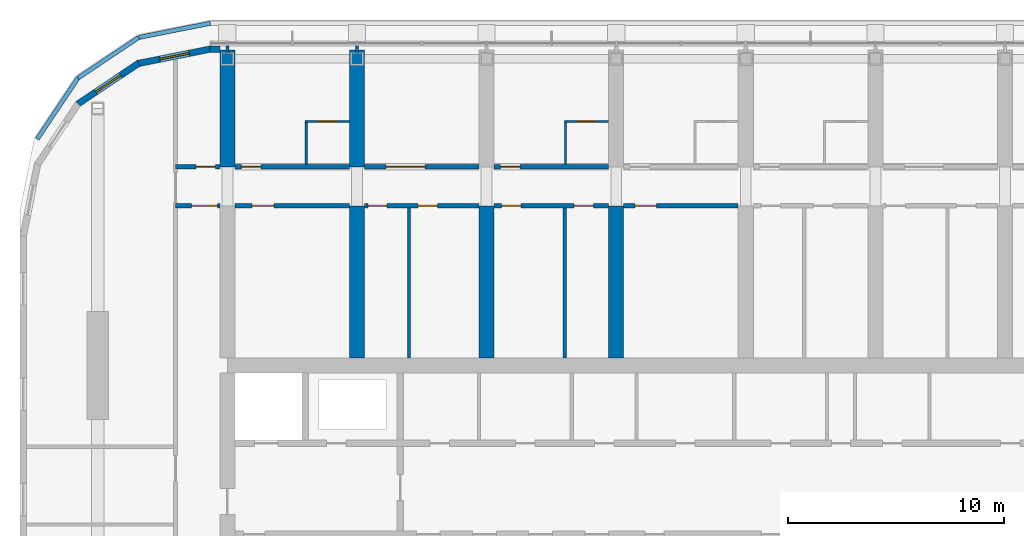
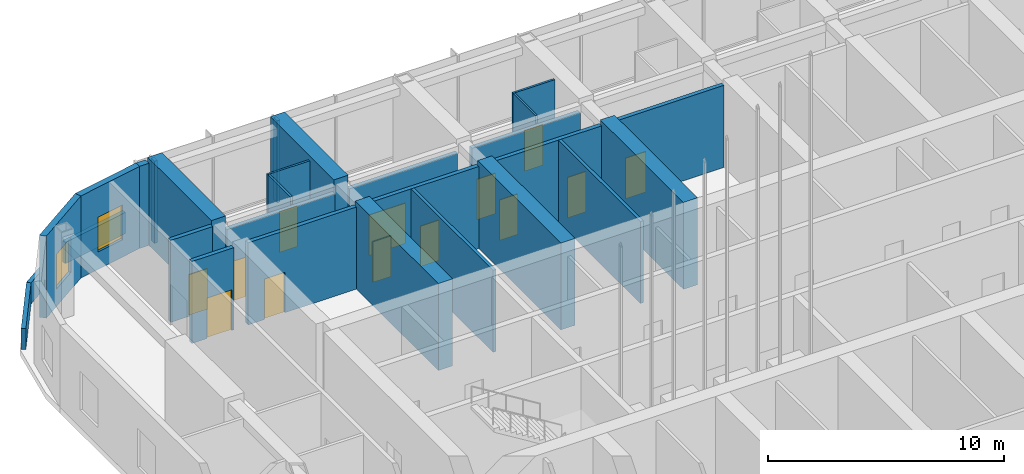
# One storey, part 19 of 35: 28 walls, 13 doors, 2 windows, 15 openings.
"""IFC4 building model written with IfcOpenShell, lengths in metres."""

import ifcopenshell
import ifcopenshell.guid

model = None  # the IFC model being written
_history = None  # IfcOwnerHistory: only IFC2X3 demands one
_inside = {}  # id of a spatial element -> (the spatial element, [elements in it])
_under = {}  # id of a project, library or spatial element -> (it, [spatial elements below it])
_declared = {}  # id of a project -> (the project, [libraries it declares])
_typed = {}  # id of a type object -> (the type object, [elements of that type])
_made_of = {}  # id of a material, layer set ... -> (it, [elements and type objects made of it])


def new_model(schema):
    """Start an empty IFC model of exactly this schema.

    Asked for "IFC4X3", IfcOpenShell would pick the latest addendum, in which some entities
    have other attributes; the version numbers below select the first issue.
    IFC2X3 requires an IfcOwnerHistory on every rooted entity: one is made here for all.
    """
    global model, _history
    if schema == "IFC4X3":
        model = ifcopenshell.file(schema_version=(4, 3, 0, 0))
    else:
        model = ifcopenshell.file(schema=schema)
    _inside.clear()
    _under.clear()
    _declared.clear()
    _typed.clear()
    _made_of.clear()
    _history = None
    if model.schema == "IFC2X3":
        org = make("IfcOrganization", Name="unknown")
        user = make(
            "IfcPersonAndOrganization",
            ThePerson=make("IfcPerson", FamilyName="unknown"),
            TheOrganization=org,
        )
        app = make(
            "IfcApplication",
            ApplicationDeveloper=org,
            Version="unknown",
            ApplicationFullName="unknown",
            ApplicationIdentifier="unknown",
        )
        _history = make(
            "IfcOwnerHistory",
            OwningUser=user,
            OwningApplication=app,
            ChangeAction="ADDED",
            CreationDate=0,
        )
    return model


def make(cls, **values):
    """One entity of the class cls with the attributes given. An attribute that is None is left unset."""
    return model.create_entity(
        cls, **{name: value for name, value in values.items() if value is not None}
    )


def rooted(cls, **values):
    """An entity with a GlobalId (a new one), such as an element, a storey or a relation."""
    return make(cls, GlobalId=ifcopenshell.guid.new(), OwnerHistory=_history, **values)


def si_unit(unit_type, name, prefix=None):
    """IfcSIUnit, for example si_unit("LENGTHUNIT", "METRE", prefix="MILLI")."""
    return make("IfcSIUnit", UnitType=unit_type, Prefix=prefix, Name=name)


def assignment(units):
    """IfcUnitAssignment: the units of a project."""
    return None if units is None else make("IfcUnitAssignment", Units=units)


def point(xyz):
    """IfcCartesianPoint."""
    return None if xyz is None else make("IfcCartesianPoint", Coordinates=xyz)


def direction(xyz):
    """IfcDirection."""
    return None if xyz is None else make("IfcDirection", DirectionRatios=xyz)


def frame(location, z_axis=None, x_axis=None):
    """IfcAxis2Placement3D, a coordinate frame: its origin and axes. An axis left out is left unset."""
    return make(
        "IfcAxis2Placement3D",
        Location=point(location),
        Axis=direction(z_axis),
        RefDirection=direction(x_axis),
    )


def frame_2d(location, x_axis=None):
    """IfcAxis2Placement2D, a coordinate frame in the plane: its origin and x axis."""
    return make(
        "IfcAxis2Placement2D", Location=point(location), RefDirection=direction(x_axis)
    )


def origin():
    """The frame at (0, 0, 0) with its axes left unset."""
    return frame((0.0, 0.0, 0.0))


def place(relative_to, where):
    """IfcLocalPlacement: puts the frame where relative to a parent placement (None: the world)."""
    return make(
        "IfcLocalPlacement", PlacementRelTo=relative_to, RelativePlacement=where
    )


def context(
    kind, dimensions, precision=None, world=None, true_north=None, identifier=None
):
    """IfcGeometricRepresentationContext, for example the 3D "Model" context."""
    return make(
        "IfcGeometricRepresentationContext",
        ContextIdentifier=identifier,
        ContextType=kind,
        CoordinateSpaceDimension=dimensions,
        Precision=precision,
        WorldCoordinateSystem=world,
        TrueNorth=true_north,
    )


def subcontext(parent, identifier, kind, view, scale=None):
    """IfcGeometricRepresentationSubContext, for example "Body" below "Model"."""
    return make(
        "IfcGeometricRepresentationSubContext",
        ContextIdentifier=identifier,
        ContextType=kind,
        ParentContext=parent,
        TargetScale=scale,
        TargetView=view,
    )


def project(units=None, contexts=None):
    """IfcProject with its units and contexts."""
    return rooted(
        "IfcProject",
        Name="project",
        RepresentationContexts=contexts,
        UnitsInContext=assignment(units),
    )


def spatial(cls, under=None, at=None, **own):
    """A site, building, storey or space (cls), placed at a placement, below another one or the project."""
    s = rooted(cls, ObjectPlacement=at, **own)
    if under is not None:
        _under.setdefault(under.id(), (under, []))[1].append(s)
    return s


def polyline(points):
    """IfcPolyline through the points."""
    return make("IfcPolyline", Points=[point(p) for p in points])


def profile(cls, at=None, kind="AREA", **sizes):
    """A parametric profile (cls). Its sizes go by their IFC names, for example OverallWidth=200.0."""
    return make(cls, ProfileType=kind, Position=at, **sizes)


def rectangle(**sizes):
    """IfcRectangleProfileDef."""
    return profile("IfcRectangleProfileDef", **sizes)


def outline(outer, holes=None, kind="AREA"):
    """IfcArbitraryClosedProfileDef: a profile drawn as a closed curve; with holes, ...WithVoids."""
    if holes is None:
        return make("IfcArbitraryClosedProfileDef", ProfileType=kind, OuterCurve=outer)
    return make(
        "IfcArbitraryProfileDefWithVoids",
        ProfileType=kind,
        OuterCurve=outer,
        InnerCurves=holes,
    )


def extrude(swept, where, along, depth):
    """IfcExtrudedAreaSolid: the profile swept, set in the frame where, extruded along a direction by depth."""
    return make(
        "IfcExtrudedAreaSolid",
        SweptArea=swept,
        Position=where,
        ExtrudedDirection=direction(along),
        Depth=depth,
    )


def shape(context_of_items, identifier, shape_type, items):
    """IfcShapeRepresentation: the items that make up one representation, for example the "Body"."""
    return make(
        "IfcShapeRepresentation",
        ContextOfItems=context_of_items,
        RepresentationIdentifier=identifier,
        RepresentationType=shape_type,
        Items=items,
    )


def material(Name=None, Category=None):
    """IfcMaterial."""
    return make("IfcMaterial", Name=Name, Category=Category)


def layer(
    of_material, thickness, ventilated=None, Name=None, Category=None, Priority=None
):
    """IfcMaterialLayer: one layer of a wall or slab, of a material (None: an air gap)."""
    return make(
        "IfcMaterialLayer",
        Material=of_material,
        LayerThickness=thickness,
        IsVentilated=ventilated,
        Name=Name,
        Category=Category,
        Priority=Priority,
    )


def layer_set(layers, Name=None):
    """IfcMaterialLayerSet."""
    return make("IfcMaterialLayerSet", MaterialLayers=layers, LayerSetName=Name)


def made_of(thing, what):
    """Note that an element or type object is made of a material, layer set ...; save() writes the relation."""
    if what is not None:
        _made_of.setdefault(what.id(), (what, []))[1].append(thing)
    return thing


def type_object(cls, material=None, **own):
    """A type object (cls), such as IfcWallType, which elements share."""
    return made_of(rooted(cls, **own), material)


def element(
    cls,
    number,
    at=None,
    inside=None,
    cuts=None,
    type_object=None,
    material=None,
    context=None,
    identifier="Body",
    shape_type=None,
    held_by="IfcProductDefinitionShape",
    body=None,
    shapes=None,
    **own,
):
    """One element of the class cls, such as IfcWall. Its Tag is "e" and its number.

    at: its placement. inside: the storey or other place that contains it. cuts: it is an
    opening in that element (IfcRelVoidsElement). A single representation is given by context,
    identifier, shape_type and body (its items); several are given by shapes. held_by: the class
    of the entity that holds the representations. save() writes the other relations.
    """
    e = rooted(cls, Tag="e%d" % number, ObjectPlacement=at, **own)
    if body is not None:
        shapes = [shape(context, identifier, shape_type, body)]
    if shapes is not None:
        e.Representation = make(held_by, Representations=shapes)
    if inside is not None:
        _inside.setdefault(inside.id(), (inside, []))[1].append(e)
    if cuts is not None:
        rooted(
            "IfcRelVoidsElement", RelatingBuildingElement=cuts, RelatedOpeningElement=e
        )
    if type_object is not None:
        _typed.setdefault(type_object.id(), (type_object, []))[1].append(e)
    return made_of(e, material)


def fill(opening, filler):
    """IfcRelFillsElement: the door or window that sits in an opening."""
    return rooted(
        "IfcRelFillsElement",
        RelatingOpeningElement=opening,
        RelatedBuildingElement=filler,
    )


def aggregate(whole, parts):
    """IfcRelAggregates: a whole, such as a stair, and the parts it consists of."""
    return rooted("IfcRelAggregates", RelatingObject=whole, RelatedObjects=parts)


def save(model, path):
    """Write the relations noted so far, then the file.

    IfcRelAggregates (storeys below a building ...), IfcRelContainedInSpatialStructure (elements
    in a storey), IfcRelDefinesByType, IfcRelAssociatesMaterial and IfcRelDeclares: one each for
    every whole, place, type object, material and project.
    """
    for whole, parts in _under.values():
        aggregate(whole, parts)
    for where, things in _inside.values():
        rooted(
            "IfcRelContainedInSpatialStructure",
            RelatedElements=things,
            RelatingStructure=where,
        )
    for kind, things in _typed.values():
        rooted("IfcRelDefinesByType", RelatedObjects=things, RelatingType=kind)
    for what, things in _made_of.values():
        rooted("IfcRelAssociatesMaterial", RelatedObjects=things, RelatingMaterial=what)
    for by, libraries in _declared.values():
        rooted("IfcRelDeclares", RelatingContext=by, RelatedDefinitions=libraries)
    model.write(path)


model = new_model("IFC4")

# Units and contexts
model_context = context("Model", 3, precision=1e-05, world=origin(), true_north=direction((0.0, 1.0)))
body_context = subcontext(model_context, "Body", "Model", "MODEL_VIEW")
ifc_project = project(units=[si_unit("LENGTHUNIT", "METRE"), si_unit("AREAUNIT", "SQUARE_METRE"), si_unit("VOLUMEUNIT", "CUBIC_METRE"), si_unit("PLANEANGLEUNIT", "RADIAN"), si_unit("MASSUNIT", "GRAM", prefix="KILO")], contexts=[model_context])

# Site, building, storey
site_placement = place(None, origin())
site = spatial("IfcSite", under=ifc_project, at=site_placement, CompositionType="ELEMENT")
building_placement = place(site_placement, origin())
building = spatial("IfcBuilding", under=site, at=building_placement, Name="Orbita Commons", CompositionType="ELEMENT")
storey_placement = place(building_placement, frame((0.0, 0.0, 208.300048828125)))
storey = spatial("IfcBuildingStorey", under=building, at=storey_placement, Name="L51", CompositionType="ELEMENT", Elevation=208.300048828125)

# Wall, opening, door
ifc_material_1 = material(Name="Concrete blockwork", Category="masonry")
ifc_layer_1 = layer(ifc_material_1, 0.199951171875)
ifc_layer_set_1 = layer_set([ifc_layer_1], Name="Concrete blockwork")
wall_type_1 = type_object("IfcWallType", Name="Corridor wall 200 blockwork", PredefinedType="SOLIDWALL", material=ifc_layer_set_1)
wall_1_placement = place(storey_placement, frame((15.60009765625, 47.39990234375, 0.0), z_axis=(0.0, 0.0, 1.0), x_axis=(1.0, 0.0, 0.0)))
wall_1 = element("IfcWall", 1, at=wall_1_placement, inside=storey, type_object=wall_type_1, Name="Corridor wall 200 blockwork L51", PredefinedType="SOLIDWALL", context=body_context, shape_type="SweptSolid", body=[
    extrude(rectangle(XDim=2.0498046875, YDim=0.199951171875, at=frame_2d((1.02490234375, 0.0))), origin(), (0.0, 0.0, 1.0), 4.25),
])
opening_1_placement = place(wall_1_placement, frame((0.949951171875, 0.0, 0.0)))
opening_1 = element("IfcOpeningElement", 2, at=opening_1_placement, cuts=wall_1, Name="Opening D05", PredefinedType="OPENING", context=body_context, shape_type="SweptSolid", body=[
    extrude(rectangle(XDim=0.89990234375, YDim=2.10009765625, at=frame_2d((0.449951171875, 1.050048828125))), frame((0.0, 0.10986328125, 0.0), z_axis=(0.0, -1.0, 0.0), x_axis=(1.0, 0.0, 0.0)), (0.0, 0.0, 1.0), 0.219970703125),
])
ifc_material_2 = material(Name="Steel-faced fire door leaf", Category="steel")
door_type_1 = type_object("IfcDoorType", Name="Service door 20 min 900x2100", OperationType="SINGLE_SWING_LEFT", PredefinedType="DOOR", material=ifc_material_2)
door_1_placement = place(opening_1_placement, origin())
door_1 = element("IfcDoor", 3, at=door_1_placement, inside=storey, type_object=door_type_1, Name="Linen store L51-KWN door", OperationType="SINGLE_SWING_LEFT", OverallHeight=2.10009765625, OverallWidth=0.89990234375, PredefinedType="DOOR", context=body_context, shape_type="SweptSolid", body=[
    extrude(rectangle(XDim=0.89990234375, YDim=2.10009765625, at=frame_2d((0.449951171875, 1.050048828125))), frame((0.0, 0.02490234375, 0.0), z_axis=(0.0, -1.0, 0.0), x_axis=(1.0, 0.0, 0.0)), (0.0, 0.0, 1.0), 0.050048828125),
])
fill(opening_1, door_1)

wall_2_placement = place(storey_placement, frame((18.35009765625, 47.39990234375, 0.0), z_axis=(0.0, 0.0, 1.0), x_axis=(1.0, 0.0, 0.0)))
wall_2 = element("IfcWall", 4, at=wall_2_placement, inside=storey, type_object=wall_type_1, Name="Corridor wall 200 blockwork L51", PredefinedType="SOLIDWALL", context=body_context, shape_type="SweptSolid", body=[
    extrude(outline(polyline([(0.0, 0.0), (5.2998046875, 0.0), (5.300048828125, 3.849853515625), (0.0, 3.849853515625), (0.0, 0.0)])), frame((0.0, 0.10009765625, 0.0), z_axis=(0.0, -1.0, 0.0), x_axis=(1.0, 0.0, 0.0)), (0.0, 0.0, 1.0), 0.199951171875),
])
opening_2_placement = place(wall_2_placement, frame((0.300048828125, 0.0, 0.0)))
opening_2 = element("IfcOpeningElement", 5, at=opening_2_placement, cuts=wall_2, Name="Opening D11", PredefinedType="OPENING", context=body_context, shape_type="SweptSolid", body=[
    extrude(rectangle(XDim=0.89990234375, YDim=2.10009765625, at=frame_2d((0.449951171875, 1.050048828125))), frame((0.0, 0.10986328125, 0.0), z_axis=(0.0, -1.0, 0.0), x_axis=(1.0, 0.0, 0.0)), (0.0, 0.0, 1.0), 0.219970703125),
])
ifc_material_3 = material(Name="Steel-faced fire door leaf", Category="steel")
door_type_2 = type_object("IfcDoorType", Name="Corridor door 20 min 900x2100", OperationType="SINGLE_SWING_LEFT", PredefinedType="DOOR", material=ifc_material_3)
door_2_placement = place(opening_2_placement, origin())
door_2 = element("IfcDoor", 6, at=door_2_placement, inside=storey, type_object=door_type_2, Name="Guest studio with kitchenette L51-NF1 door", OperationType="SINGLE_SWING_LEFT", OverallHeight=2.10009765625, OverallWidth=0.89990234375, PredefinedType="DOOR", context=body_context, shape_type="SweptSolid", body=[
    extrude(rectangle(XDim=0.89990234375, YDim=2.10009765625, at=frame_2d((0.449951171875, 1.050048828125))), frame((0.0, 0.02490234375, 0.0), z_axis=(0.0, -1.0, 0.0), x_axis=(1.0, 0.0, 0.0)), (0.0, 0.0, 1.0), 0.050048828125),
])
fill(opening_2, door_2)

wall_3_placement = place(storey_placement, frame((24.35009765625, 47.39990234375, 0.0), z_axis=(0.0, 0.0, 1.0), x_axis=(1.0, 0.0, 0.0)))
wall_3 = element("IfcWall", 7, at=wall_3_placement, inside=storey, type_object=wall_type_1, Name="Corridor wall 200 blockwork L51", PredefinedType="SOLIDWALL", context=body_context, shape_type="SweptSolid", body=[
    extrude(outline(polyline([(0.0, 0.0), (5.2998046875, 0.0), (5.300048828125, 3.849853515625), (0.0, 3.849853515625), (0.0, 0.0)])), frame((0.0, 0.10009765625, 0.0), z_axis=(0.0, -1.0, 0.0), x_axis=(1.0, 0.0, 0.0)), (0.0, 0.0, 1.0), 0.199951171875),
])
opening_3_placement = place(wall_3_placement, frame((1.0, 0.0, 0.0)))
opening_3 = element("IfcOpeningElement", 8, at=opening_3_placement, cuts=wall_3, Name="Opening D07", PredefinedType="OPENING", context=body_context, shape_type="SweptSolid", body=[
    extrude(rectangle(XDim=1.800048828125, YDim=2.10009765625, at=frame_2d((0.89990234375, 1.050048828125))), frame((0.0, 0.10986328125, 0.0), z_axis=(0.0, -1.0, 0.0), x_axis=(1.0, 0.0, 0.0)), (0.0, 0.0, 1.0), 0.219970703125),
])
ifc_material_4 = material(Name="Steel-faced fire door leaf", Category="steel")
door_type_3 = type_object("IfcDoorType", Name="Double corridor door 20 min 1800x2100", OperationType="DOUBLE_DOOR_SINGLE_SWING", PredefinedType="DOOR", material=ifc_material_4)
door_3_placement = place(opening_3_placement, origin())
door_3 = element("IfcDoor", 9, at=door_3_placement, inside=storey, type_object=door_type_3, Name="Postgraduate study room L51-NF2 doors", OperationType="DOUBLE_DOOR_SINGLE_SWING", OverallHeight=2.10009765625, OverallWidth=1.800048828125, PredefinedType="DOOR", context=body_context, shape_type="SweptSolid", body=[
    extrude(rectangle(XDim=1.800048828125, YDim=2.10009765625, at=frame_2d((0.89990234375, 1.050048828125))), frame((0.0, 0.02490234375, 0.0), z_axis=(0.0, -1.0, 0.0), x_axis=(1.0, 0.0, 0.0)), (0.0, 0.0, 1.0), 0.050048828125),
])
fill(opening_3, door_3)

wall_4_placement = place(storey_placement, frame((30.35009765625, 47.39990234375, 0.0), z_axis=(0.0, 0.0, 1.0), x_axis=(1.0, 0.0, 0.0)))
wall_4 = element("IfcWall", 10, at=wall_4_placement, inside=storey, type_object=wall_type_1, Name="Corridor wall 200 blockwork L51", PredefinedType="SOLIDWALL", context=body_context, shape_type="SweptSolid", body=[
    extrude(outline(polyline([(0.0, 0.0), (5.2998046875, 0.0), (5.300048828125, 3.849853515625), (0.0, 3.849853515625), (0.0, 0.0)])), frame((0.0, 0.10009765625, 0.0), z_axis=(0.0, -1.0, 0.0), x_axis=(1.0, 0.0, 0.0)), (0.0, 0.0, 1.0), 0.199951171875),
])
opening_4_placement = place(wall_4_placement, frame((0.300048828125, 0.0, 0.0)))
opening_4 = element("IfcOpeningElement", 11, at=opening_4_placement, cuts=wall_4, Name="Opening D11", PredefinedType="OPENING", context=body_context, shape_type="SweptSolid", body=[
    extrude(rectangle(XDim=0.89990234375, YDim=2.10009765625, at=frame_2d((0.449951171875, 1.050048828125))), frame((0.0, 0.10986328125, 0.0), z_axis=(0.0, -1.0, 0.0), x_axis=(1.0, 0.0, 0.0)), (0.0, 0.0, 1.0), 0.219970703125),
])
door_4_placement = place(opening_4_placement, origin())
door_4 = element("IfcDoor", 12, at=door_4_placement, inside=storey, type_object=door_type_2, Name="Guest studio with kitchenette L51-NF3 door", OperationType="SINGLE_SWING_LEFT", OverallHeight=2.10009765625, OverallWidth=0.89990234375, PredefinedType="DOOR", context=body_context, shape_type="SweptSolid", body=[
    extrude(rectangle(XDim=0.89990234375, YDim=2.10009765625, at=frame_2d((0.449951171875, 1.050048828125))), frame((0.0, 0.02490234375, 0.0), z_axis=(0.0, -1.0, 0.0), x_axis=(1.0, 0.0, 0.0)), (0.0, 0.0, 1.0), 0.050048828125),
])
fill(opening_4, door_4)

ifc_material_5 = material(Name="Hollow concrete block 200", Category="concrete")
ifc_layer_2 = layer(ifc_material_5, 0.199951171875)
ifc_layer_set_2 = layer_set([ifc_layer_2], Name="Hollow concrete block 200")
wall_type_2 = type_object("IfcWallType", Name="Corridor wall 200 hollow concrete block", PredefinedType="SOLIDWALL", material=ifc_layer_set_2)
wall_5_placement = place(storey_placement, frame((15.60009765625, 45.60009765625, 0.0), z_axis=(0.0, 0.0, 1.0), x_axis=(1.0, 0.0, 0.0)))
wall_5 = element("IfcWall", 13, at=wall_5_placement, inside=storey, type_object=wall_type_2, Name="Corridor wall 200 hollow concrete block L51", PredefinedType="SOLIDWALL", context=body_context, shape_type="SweptSolid", body=[
    extrude(rectangle(XDim=2.0498046875, YDim=0.199951171875, at=frame_2d((1.02490234375, 0.0))), origin(), (0.0, 0.0, 1.0), 4.25),
])
opening_5_placement = place(wall_5_placement, frame((0.75, 0.0, 0.0)))
opening_5 = element("IfcOpeningElement", 14, at=opening_5_placement, cuts=wall_5, Name="Opening D12", PredefinedType="OPENING", context=body_context, shape_type="SweptSolid", body=[
    extrude(rectangle(XDim=1.199951171875, YDim=2.10009765625, at=frame_2d((0.60009765625, 1.050048828125))), frame((0.0, 0.10986328125, 0.0), z_axis=(0.0, -1.0, 0.0), x_axis=(1.0, 0.0, 0.0)), (0.0, 0.0, 1.0), 0.219970703125),
])
ifc_material_6 = material(Name="Steel-faced fire door leaf", Category="steel")
door_type_4 = type_object("IfcDoorType", Name="Double corridor door 20 min 1200x2100", OperationType="DOUBLE_DOOR_SINGLE_SWING", PredefinedType="DOOR", material=ifc_material_6)
door_5_placement = place(opening_5_placement, origin())
door_5 = element("IfcDoor", 15, at=door_5_placement, inside=storey, type_object=door_type_4, Name="Cross corridor doors", OperationType="DOUBLE_DOOR_SINGLE_SWING", OverallHeight=2.10009765625, OverallWidth=1.199951171875, PredefinedType="DOOR", context=body_context, shape_type="SweptSolid", body=[
    extrude(rectangle(XDim=1.199951171875, YDim=2.10009765625, at=frame_2d((0.60009765625, 1.050048828125))), frame((0.0, 0.02490234375, 0.0), z_axis=(0.0, -1.0, 0.0), x_axis=(1.0, 0.0, 0.0)), (0.0, 0.0, 1.0), 0.050048828125),
])
fill(opening_5, door_5)

wall_6_placement = place(storey_placement, frame((18.35009765625, 45.60009765625, 0.0), z_axis=(0.0, 0.0, 1.0), x_axis=(1.0, 0.0, 0.0)))
wall_6 = element("IfcWall", 16, at=wall_6_placement, inside=storey, type_object=wall_type_2, Name="Corridor wall 200 hollow concrete block L51", PredefinedType="SOLIDWALL", context=body_context, shape_type="SweptSolid", body=[
    extrude(rectangle(XDim=5.2998046875, YDim=0.199951171875, at=frame_2d((2.64990234375, 0.0))), origin(), (0.0, 0.0, 1.0), 4.25),
])
opening_6_placement = place(wall_6_placement, frame((0.800048828125, 0.0, 0.0)))
opening_6 = element("IfcOpeningElement", 17, at=opening_6_placement, cuts=wall_6, Name="Opening D06", PredefinedType="OPENING", context=body_context, shape_type="SweptSolid", body=[
    extrude(rectangle(XDim=1.0, YDim=2.10009765625, at=frame_2d((0.5, 1.050048828125))), frame((0.0, 0.10986328125, 0.0), z_axis=(0.0, -1.0, 0.0), x_axis=(1.0, 0.0, 0.0)), (0.0, 0.0, 1.0), 0.219970703125),
])
ifc_material_7 = material(Name="Steel-faced fire door leaf", Category="steel")
door_type_5 = type_object("IfcDoorType", Name="Corridor door 20 min 1000x2100", OperationType="SINGLE_SWING_LEFT", PredefinedType="DOOR", material=ifc_material_7)
door_6_placement = place(opening_6_placement, origin())
door_6 = element("IfcDoor", 18, at=door_6_placement, inside=storey, type_object=door_type_5, Name="Electrical and data room L51-BDN18 door", OperationType="SINGLE_SWING_LEFT", OverallHeight=2.10009765625, OverallWidth=1.0, PredefinedType="DOOR", context=body_context, shape_type="SweptSolid", body=[
    extrude(rectangle(XDim=1.0, YDim=2.10009765625, at=frame_2d((0.5, 1.050048828125))), frame((0.0, 0.02490234375, 0.0), z_axis=(0.0, -1.0, 0.0), x_axis=(1.0, 0.0, 0.0)), (0.0, 0.0, 1.0), 0.050048828125),
])
fill(opening_6, door_6)

# Wall, openings, doors
wall_7_placement = place(storey_placement, frame((24.35009765625, 45.60009765625, 0.0), z_axis=(0.0, 0.0, 1.0), x_axis=(1.0, 0.0, 0.0)))
wall_7 = element("IfcWall", 19, at=wall_7_placement, inside=storey, type_object=wall_type_2, Name="Corridor wall 200 hollow concrete block L51", PredefinedType="SOLIDWALL", context=body_context, shape_type="SweptSolid", body=[
    extrude(rectangle(XDim=5.2998046875, YDim=0.199951171875, at=frame_2d((2.64990234375, 0.0))), origin(), (0.0, 0.0, 1.0), 4.25),
])
opening_7_placement = place(wall_7_placement, frame((0.14990234375, 0.0, 0.0)))
opening_7 = element("IfcOpeningElement", 20, at=opening_7_placement, cuts=wall_7, Name="Opening D11", PredefinedType="OPENING", context=body_context, shape_type="SweptSolid", body=[
    extrude(rectangle(XDim=0.89990234375, YDim=2.10009765625, at=frame_2d((0.449951171875, 1.050048828125))), frame((0.0, 0.10986328125, 0.0), z_axis=(0.0, -1.0, 0.0), x_axis=(1.0, 0.0, 0.0)), (0.0, 0.0, 1.0), 0.219970703125),
])
opening_8_placement = place(wall_7_placement, frame((2.47998046875, 0.0, 0.0)))
opening_8 = element("IfcOpeningElement", 21, at=opening_8_placement, cuts=wall_7, Name="Opening D11", PredefinedType="OPENING", context=body_context, shape_type="SweptSolid", body=[
    extrude(rectangle(XDim=0.89990234375, YDim=2.10009765625, at=frame_2d((0.449951171875, 1.050048828125))), frame((0.0, 0.10986328125, 0.0), z_axis=(0.0, -1.0, 0.0), x_axis=(1.0, 0.0, 0.0)), (0.0, 0.0, 1.0), 0.219970703125),
])
door_7_placement = place(opening_7_placement, origin())
door_7 = element("IfcDoor", 22, at=door_7_placement, inside=storey, type_object=door_type_2, Name="Sprinkler valve room L51-BDN24n door", OperationType="SINGLE_SWING_LEFT", OverallHeight=2.10009765625, OverallWidth=0.89990234375, PredefinedType="DOOR", context=body_context, shape_type="SweptSolid", body=[
    extrude(rectangle(XDim=0.89990234375, YDim=2.10009765625, at=frame_2d((0.449951171875, 1.050048828125))), frame((0.0, 0.02490234375, 0.0), z_axis=(0.0, -1.0, 0.0), x_axis=(1.0, 0.0, 0.0)), (0.0, 0.0, 1.0), 0.050048828125),
])
fill(opening_7, door_7)
door_8_placement = place(opening_8_placement, origin())
door_8 = element("IfcDoor", 23, at=door_8_placement, inside=storey, type_object=door_type_2, Name="Housekeeping office L51-BDN24 door", OperationType="SINGLE_SWING_LEFT", OverallHeight=2.10009765625, OverallWidth=0.89990234375, PredefinedType="DOOR", context=body_context, shape_type="SweptSolid", body=[
    extrude(rectangle(XDim=0.89990234375, YDim=2.10009765625, at=frame_2d((0.449951171875, 1.050048828125))), frame((0.0, 0.02490234375, 0.0), z_axis=(0.0, -1.0, 0.0), x_axis=(1.0, 0.0, 0.0)), (0.0, 0.0, 1.0), 0.050048828125),
])
fill(opening_8, door_8)

wall_8_placement = place(storey_placement, frame((30.35009765625, 45.60009765625, 0.0), z_axis=(0.0, 0.0, 1.0), x_axis=(1.0, 0.0, 0.0)))
wall_8 = element("IfcWall", 24, at=wall_8_placement, inside=storey, type_object=wall_type_2, Name="Corridor wall 200 hollow concrete block L51", PredefinedType="SOLIDWALL", context=body_context, shape_type="SweptSolid", body=[
    extrude(rectangle(XDim=5.2998046875, YDim=0.199951171875, at=frame_2d((2.64990234375, 0.0))), origin(), (0.0, 0.0, 1.0), 4.25),
])
opening_9_placement = place(wall_8_placement, frame((0.35009765625, 0.0, 0.0)))
opening_9 = element("IfcOpeningElement", 25, at=opening_9_placement, cuts=wall_8, Name="Opening D11", PredefinedType="OPENING", context=body_context, shape_type="SweptSolid", body=[
    extrude(rectangle(XDim=0.89990234375, YDim=2.10009765625, at=frame_2d((0.449951171875, 1.050048828125))), frame((0.0, 0.10986328125, 0.0), z_axis=(0.0, -1.0, 0.0), x_axis=(1.0, 0.0, 0.0)), (0.0, 0.0, 1.0), 0.219970703125),
])
opening_10_placement = place(wall_8_placement, frame((3.68994140625, 0.0, 0.0)))
opening_10 = element("IfcOpeningElement", 26, at=opening_10_placement, cuts=wall_8, Name="Opening D11", PredefinedType="OPENING", context=body_context, shape_type="SweptSolid", body=[
    extrude(rectangle(XDim=0.89990234375, YDim=2.10009765625, at=frame_2d((0.449951171875, 1.050048828125))), frame((0.0, 0.10986328125, 0.0), z_axis=(0.0, -1.0, 0.0), x_axis=(1.0, 0.0, 0.0)), (0.0, 0.0, 1.0), 0.219970703125),
])
door_9_placement = place(opening_9_placement, origin())
door_9 = element("IfcDoor", 27, at=door_9_placement, inside=storey, type_object=door_type_2, Name="Wine store L51-BDN30 door", OperationType="SINGLE_SWING_LEFT", OverallHeight=2.10009765625, OverallWidth=0.89990234375, PredefinedType="DOOR", context=body_context, shape_type="SweptSolid", body=[
    extrude(rectangle(XDim=0.89990234375, YDim=2.10009765625, at=frame_2d((0.449951171875, 1.050048828125))), frame((0.0, 0.02490234375, 0.0), z_axis=(0.0, -1.0, 0.0), x_axis=(1.0, 0.0, 0.0)), (0.0, 0.0, 1.0), 0.050048828125),
])
fill(opening_9, door_9)
door_10_placement = place(opening_10_placement, origin())
door_10 = element("IfcDoor", 28, at=door_10_placement, inside=storey, type_object=door_type_2, Name="Riser access cupboard L51-BDN30n door", OperationType="SINGLE_SWING_LEFT", OverallHeight=2.10009765625, OverallWidth=0.89990234375, PredefinedType="DOOR", context=body_context, shape_type="SweptSolid", body=[
    extrude(rectangle(XDim=0.89990234375, YDim=2.10009765625, at=frame_2d((0.449951171875, 1.050048828125))), frame((0.0, 0.02490234375, 0.0), z_axis=(0.0, -1.0, 0.0), x_axis=(1.0, 0.0, 0.0)), (0.0, 0.0, 1.0), 0.050048828125),
])
fill(opening_10, door_10)

# Wall, opening, door
wall_9_placement = place(storey_placement, frame((36.35009765625, 45.60009765625, 0.0), z_axis=(0.0, 0.0, 1.0), x_axis=(1.0, 0.0, 0.0)))
wall_9 = element("IfcWall", 29, at=wall_9_placement, inside=storey, type_object=wall_type_2, Name="Corridor wall 200 hollow concrete block L51", PredefinedType="SOLIDWALL", context=body_context, shape_type="SweptSolid", body=[
    extrude(rectangle(XDim=5.2998046875, YDim=0.199951171875, at=frame_2d((2.64990234375, 0.0))), origin(), (0.0, 0.0, 1.0), 4.25),
])
opening_11_placement = place(wall_9_placement, frame((0.52490234375, 0.0, 0.0)))
opening_11 = element("IfcOpeningElement", 30, at=opening_11_placement, cuts=wall_9, Name="Opening D06", PredefinedType="OPENING", context=body_context, shape_type="SweptSolid", body=[
    extrude(rectangle(XDim=1.0, YDim=2.10009765625, at=frame_2d((0.5, 1.050048828125))), frame((0.0, 0.10986328125, 0.0), z_axis=(0.0, -1.0, 0.0), x_axis=(1.0, 0.0, 0.0)), (0.0, 0.0, 1.0), 0.219970703125),
])
door_11_placement = place(opening_11_placement, origin())
door_11 = element("IfcDoor", 31, at=door_11_placement, inside=storey, type_object=door_type_5, Name="Guest linen store L51-BDN36 door", OperationType="SINGLE_SWING_LEFT", OverallHeight=2.10009765625, OverallWidth=1.0, PredefinedType="DOOR", context=body_context, shape_type="SweptSolid", body=[
    extrude(rectangle(XDim=1.0, YDim=2.10009765625, at=frame_2d((0.5, 1.050048828125))), frame((0.0, 0.02490234375, 0.0), z_axis=(0.0, -1.0, 0.0), x_axis=(1.0, 0.0, 0.0)), (0.0, 0.0, 1.0), 0.050048828125),
])
fill(opening_11, door_11)

# Walls
ifc_material_8 = material(Name="Concrete C50/60", Category="concrete")
ifc_layer_3 = layer(ifc_material_8, 0.699951171875)
ifc_layer_set_3 = layer_set([ifc_layer_3], Name="Concrete C50/60")
wall_type_3 = type_object("IfcWallType", Name="Cross wall 700 C50/60", PredefinedType="SHEAR", material=ifc_layer_set_3)
for number, where, z_axis, x_axis, name in (
    (32, (18.0, 47.39990234375, 0.0), (0.0, 0.0, 1.0), (0.0, 1.0, 0.0), "Cross wall 4 north outer L51"),
    (33, (24.0, 47.39990234375, 0.0), (0.0, 0.0, 1.0), (0.0, 1.0, 0.0), "Cross wall 5 north outer L51"),
):
    element("IfcWall", number, at=place(storey_placement, frame(where, z_axis=z_axis, x_axis=x_axis)), inside=storey, type_object=wall_type_3, Name=name, PredefinedType="SHEAR", context=body_context, shape_type="SweptSolid", body=[
        extrude(rectangle(XDim=5.400146484375, YDim=0.699951171875, at=frame_2d((2.7001953125, 0.0))), origin(), (0.0, 0.0, 1.0), 4.5),
    ])
for number, where, z_axis, x_axis, name in (
    (34, (24.0, 38.550048828125, 0.0), (0.0, 0.0, 1.0), (0.0, 1.0, 0.0), "Cross wall 5 north inner L51"),
    (35, (30.0, 38.550048828125, 0.0), (0.0, 0.0, 1.0), (0.0, 1.0, 0.0), "Cross wall 6 north inner L51"),
    (36, (36.0, 38.550048828125, 0.0), (0.0, 0.0, 1.0), (0.0, 1.0, 0.0), "Cross wall 7 north inner L51"),
):
    element("IfcWall", number, at=place(storey_placement, frame(where, z_axis=z_axis, x_axis=x_axis)), inside=storey, type_object=wall_type_3, Name=name, PredefinedType="SHEAR", context=body_context, shape_type="SweptSolid", body=[
        extrude(rectangle(XDim=7.050048828125, YDim=0.699951171875, at=frame_2d((3.52490234375, 0.0))), origin(), (0.0, 0.0, 1.0), 4.5),
    ])

# Wall, opening, door
ifc_material_9 = material(Name="Moisture-resistant plasterboard on steel studs", Category="steel")
ifc_layer_4 = layer(ifc_material_9, 0.10009765625)
ifc_layer_set_4 = layer_set([ifc_layer_4], Name="Moisture-resistant plasterboard on steel studs")
wall_type_4 = type_object("IfcWallType", Name="En-suite partition 100", PredefinedType="PARTITIONING", material=ifc_layer_set_4)
wall_10_placement = place(storey_placement, frame((21.60009765625, 49.5, 0.0), z_axis=(0.0, 0.0, 1.0), x_axis=(1.0, 0.0, 0.0)))
wall_10 = element("IfcWall", 37, at=wall_10_placement, inside=storey, type_object=wall_type_4, Name="En-suite partition 100 L51", PredefinedType="PARTITIONING", context=body_context, shape_type="SweptSolid", body=[
    extrude(rectangle(XDim=2.0498046875, YDim=0.10009765625, at=frame_2d((1.02490234375, 0.0))), origin(), (0.0, 0.0, 1.0), 4.25),
])
opening_12_placement = place(wall_10_placement, frame((0.574951171875, 0.0, 0.0)))
opening_12 = element("IfcOpeningElement", 38, at=opening_12_placement, cuts=wall_10, Name="Opening D09", PredefinedType="OPENING", context=body_context, shape_type="SweptSolid", body=[
    extrude(rectangle(XDim=0.89990234375, YDim=2.10009765625, at=frame_2d((0.449951171875, 1.050048828125))), frame((0.0, 0.06005859375, 0.0), z_axis=(0.0, -1.0, 0.0), x_axis=(1.0, 0.0, 0.0)), (0.0, 0.0, 1.0), 0.1201171875),
])
ifc_material_10 = material(Name="Laminated timber door leaf", Category="wood")
door_type_6 = type_object("IfcDoorType", Name="En-suite door 900x2100", OperationType="SINGLE_SWING_RIGHT", PredefinedType="DOOR", material=ifc_material_10)
door_12_placement = place(opening_12_placement, origin())
door_12 = element("IfcDoor", 39, at=door_12_placement, inside=storey, type_object=door_type_6, Name="En-suite L51-NF1 door", OperationType="SINGLE_SWING_RIGHT", OverallHeight=2.10009765625, OverallWidth=0.89990234375, PredefinedType="DOOR", context=body_context, shape_type="SweptSolid", body=[
    extrude(rectangle(XDim=0.89990234375, YDim=2.10009765625, at=frame_2d((0.449951171875, 1.050048828125))), frame((0.0, 0.02490234375, 0.0), z_axis=(0.0, -1.0, 0.0), x_axis=(1.0, 0.0, 0.0)), (0.0, 0.0, 1.0), 0.050048828125),
])
fill(opening_12, door_12)

# Wall
wall_11_placement = place(storey_placement, frame((21.64990234375, 49.449951171875, 0.0), z_axis=(0.0, 0.0, 1.0), x_axis=(0.0, -1.0, 0.0)))
element("IfcWall", 40, at=wall_11_placement, inside=storey, type_object=wall_type_4, Name="En-suite partition 100 L51", PredefinedType="PARTITIONING", context=body_context, shape_type="SweptSolid", body=[
    extrude(outline(polyline([(0.0, 0.0), (1.949951171875, 0.0), (1.949951171875, 3.849853515625), (1.902099609375, 3.849853515625), (1.89990234375, 4.25), (0.0, 4.25), (0.0, 0.0)])), frame((0.0, 0.050048828125, 0.0), z_axis=(0.0, -1.0, 0.0), x_axis=(1.0, 0.0, 0.0)), (0.0, 0.0, 1.0), 0.10009765625),
])

# Wall, opening, door
wall_12_placement = place(storey_placement, frame((33.60009765625, 49.5, 0.0), z_axis=(0.0, 0.0, 1.0), x_axis=(1.0, 0.0, 0.0)))
wall_12 = element("IfcWall", 41, at=wall_12_placement, inside=storey, type_object=wall_type_4, Name="En-suite partition 100 L51", PredefinedType="PARTITIONING", context=body_context, shape_type="SweptSolid", body=[
    extrude(rectangle(XDim=2.0498046875, YDim=0.10009765625, at=frame_2d((1.02490234375, 0.0))), origin(), (0.0, 0.0, 1.0), 4.25),
])
opening_13_placement = place(wall_12_placement, frame((0.574951171875, 0.0, 0.0)))
opening_13 = element("IfcOpeningElement", 42, at=opening_13_placement, cuts=wall_12, Name="Opening D09", PredefinedType="OPENING", context=body_context, shape_type="SweptSolid", body=[
    extrude(rectangle(XDim=0.89990234375, YDim=2.10009765625, at=frame_2d((0.449951171875, 1.050048828125))), frame((0.0, 0.06005859375, 0.0), z_axis=(0.0, -1.0, 0.0), x_axis=(1.0, 0.0, 0.0)), (0.0, 0.0, 1.0), 0.1201171875),
])
door_13_placement = place(opening_13_placement, origin())
door_13 = element("IfcDoor", 43, at=door_13_placement, inside=storey, type_object=door_type_6, Name="En-suite L51-NF3 door", OperationType="SINGLE_SWING_RIGHT", OverallHeight=2.10009765625, OverallWidth=0.89990234375, PredefinedType="DOOR", context=body_context, shape_type="SweptSolid", body=[
    extrude(rectangle(XDim=0.89990234375, YDim=2.10009765625, at=frame_2d((0.449951171875, 1.050048828125))), frame((0.0, 0.02490234375, 0.0), z_axis=(0.0, -1.0, 0.0), x_axis=(1.0, 0.0, 0.0)), (0.0, 0.0, 1.0), 0.050048828125),
])
fill(opening_13, door_13)

# Walls
wall_13_placement = place(storey_placement, frame((33.64990234375, 49.449951171875, 0.0), z_axis=(0.0, 0.0, 1.0), x_axis=(0.0, -1.0, 0.0)))
element("IfcWall", 44, at=wall_13_placement, inside=storey, type_object=wall_type_4, Name="En-suite partition 100 L51", PredefinedType="PARTITIONING", context=body_context, shape_type="SweptSolid", body=[
    extrude(outline(polyline([(0.0, 0.0), (1.949951171875, 0.0), (1.949951171875, 3.849853515625), (1.902099609375, 3.849853515625), (1.89990234375, 4.25), (0.0, 4.25), (0.0, 0.0)])), frame((0.0, 0.050048828125, 0.0), z_axis=(0.0, -1.0, 0.0), x_axis=(1.0, 0.0, 0.0)), (0.0, 0.0, 1.0), 0.10009765625),
])
ifc_material_11 = material(Name="Gypsum plasterboard on steel studs", Category="steel")
ifc_layer_5 = layer(ifc_material_11, 0.14990234375)
ifc_layer_set_5 = layer_set([ifc_layer_5], Name="Gypsum plasterboard on steel studs")
wall_type_5 = type_object("IfcWallType", Name="Partition 150 plasterboard", PredefinedType="PARTITIONING", material=ifc_layer_set_5)
for number, where, z_axis, x_axis, name in (
    (45, (26.405029296875, 38.550048828125, 0.0), (0.0, 0.0, 1.0), (0.0, 1.0, 0.0), "Partition 150 plasterboard L51"),
    (46, (33.614990234375, 38.550048828125, 0.0), (0.0, 0.0, 1.0), (0.0, 1.0, 0.0), "Partition 150 plasterboard L51"),
):
    element("IfcWall", number, at=place(storey_placement, frame(where, z_axis=z_axis, x_axis=x_axis)), inside=storey, type_object=wall_type_5, Name=name, PredefinedType="PARTITIONING", context=body_context, shape_type="SweptSolid", body=[
        extrude(rectangle(XDim=6.949951171875, YDim=0.14990234375, at=frame_2d((3.47509765625, 0.0))), origin(), (0.0, 0.0, 1.0), 4.25),
    ])
for number, where, z_axis, x_axis, name in (
    (47, (18.0, 52.699951171875, 0.0), (0.0, 0.0, 1.0), (0.0, 1.0, 0.0), "Partition 150 plasterboard L51"),
    (48, (24.0, 52.699951171875, 0.0), (0.0, 0.0, 1.0), (0.0, 1.0, 0.0), "Partition 150 plasterboard L51"),
):
    element("IfcWall", number, at=place(storey_placement, frame(where, z_axis=z_axis, x_axis=x_axis)), inside=storey, type_object=wall_type_5, Name=name, PredefinedType="PARTITIONING", context=body_context, shape_type="SweptSolid", body=[
        extrude(rectangle(XDim=0.2900390625, YDim=0.14990234375, at=frame_2d((0.14501953125, 0.0))), origin(), (0.0, 0.0, 1.0), 4.25),
    ])

# Wall, opening, window
ifc_material_12 = material(Name="Precast concrete C40/50, white board-marked finish", Category="concrete")
ifc_layer_6 = layer(ifc_material_12, 0.300048828125)
ifc_layer_set_6 = layer_set([ifc_layer_6], Name="Precast concrete C40/50, white board-marked finish")
wall_type_6 = type_object("IfcWallType", Name="Precast concrete end shield 300", PredefinedType="SOLIDWALL", material=ifc_layer_set_6)
wall_14_placement = place(storey_placement, frame((17.199951171875, 52.85009765625, 0.0), z_axis=(0.0, 0.0, 1.0), x_axis=(-0.98078325777, -0.195100490205, 0.0)))
wall_14 = element("IfcWall", 49, at=wall_14_placement, inside=storey, type_object=wall_type_6, Name="End shield NW chord 1 L51", PredefinedType="SOLIDWALL", context=body_context, shape_type="SweptSolid", body=[
    extrude(outline(polyline([(-0.02978515625, -0.14990234375), (3.40478515625, -0.14990234375), (3.34521484375, 0.14990234375), (0.02978515625, 0.14990234375), (-0.02978515625, -0.14990234375)])), origin(), (0.0, 0.0, 1.0), 4.25),
])
opening_14_placement = place(wall_14_placement, frame((0.987548828125, 0.0, 0.89990234375)))
opening_14 = element("IfcOpeningElement", 50, at=opening_14_placement, cuts=wall_14, Name="Opening W02", PredefinedType="OPENING", context=body_context, shape_type="SweptSolid", body=[
    extrude(rectangle(XDim=1.39990234375, YDim=1.800048828125, at=frame_2d((0.699951171875, 0.89990234375))), frame((0.0, 0.159912109375, 0.0), z_axis=(0.0, -1.0, 0.0), x_axis=(1.0, 0.0, 0.0)), (0.0, 0.0, 1.0), 0.320068359375),
])
ifc_material_13 = material(Name="Aluminium frame, clear double glazing", Category="aluminium")
window_type = type_object("IfcWindowType", Name="Deep-set window 1400x1800", PartitioningType="SINGLE_PANEL", PredefinedType="WINDOW", material=ifc_material_13)
window_1_placement = place(opening_14_placement, origin())
window_1 = element("IfcWindow", 51, at=window_1_placement, inside=storey, type_object=window_type, Name="Window L51-NW0", OverallHeight=1.800048828125, OverallWidth=1.39990234375, PartitioningType="SINGLE_PANEL", PredefinedType="WINDOW", context=body_context, shape_type="SweptSolid", body=[
    extrude(rectangle(XDim=1.39990234375, YDim=1.800048828125, at=frame_2d((0.699951171875, 0.89990234375))), frame((0.0, 0.030029296875, 0.0), z_axis=(0.0, -1.0, 0.0), x_axis=(1.0, 0.0, 0.0)), (0.0, 0.0, 1.0), 0.06005859375),
])
fill(opening_14, window_1)

wall_15_placement = place(storey_placement, frame((13.889892578125, 52.191650390625, 0.0), z_axis=(0.0, 0.0, 1.0), x_axis=(-0.831460037396, -0.555584562613, 0.0)))
wall_15 = element("IfcWall", 52, at=wall_15_placement, inside=storey, type_object=wall_type_6, Name="End shield NW chord 2 L51", PredefinedType="SOLIDWALL", context=body_context, shape_type="SweptSolid", body=[
    extrude(outline(polyline([(-0.02978515625, -0.14990234375), (3.405029296875, -0.14990234375), (3.345458984375, 0.14990234375), (0.02978515625, 0.14990234375), (-0.02978515625, -0.14990234375)])), origin(), (0.0, 0.0, 1.0), 4.25),
])
opening_15_placement = place(wall_15_placement, frame((0.987548828125, 0.0, 0.89990234375)))
opening_15 = element("IfcOpeningElement", 53, at=opening_15_placement, cuts=wall_15, Name="Opening W02", PredefinedType="OPENING", context=body_context, shape_type="SweptSolid", body=[
    extrude(rectangle(XDim=1.39990234375, YDim=1.800048828125, at=frame_2d((0.699951171875, 0.89990234375))), frame((0.0, 0.159912109375, 0.0), z_axis=(0.0, -1.0, 0.0), x_axis=(1.0, 0.0, 0.0)), (0.0, 0.0, 1.0), 0.320068359375),
])
window_2_placement = place(opening_15_placement, origin())
window_2 = element("IfcWindow", 54, at=window_2_placement, inside=storey, type_object=window_type, Name="Window L51-NW1", OverallHeight=1.800048828125, OverallWidth=1.39990234375, PartitioningType="SINGLE_PANEL", PredefinedType="WINDOW", context=body_context, shape_type="SweptSolid", body=[
    extrude(rectangle(XDim=1.39990234375, YDim=1.800048828125, at=frame_2d((0.699951171875, 0.89990234375))), frame((0.0, 0.030029296875, 0.0), z_axis=(0.0, -1.0, 0.0), x_axis=(1.0, 0.0, 0.0)), (0.0, 0.0, 1.0), 0.06005859375),
])
fill(opening_15, window_2)

# Walls
wall_16_placement = place(storey_placement, frame((17.199951171875, 52.85009765625, 0.0), z_axis=(0.0, 0.0, 1.0), x_axis=(1.0, 0.0, 0.0)))
element("IfcWall", 55, at=wall_16_placement, inside=storey, type_object=wall_type_6, Name="End shield NW closer L51", PredefinedType="SOLIDWALL", context=body_context, shape_type="SweptSolid", body=[
    extrude(rectangle(XDim=0.449951171875, YDim=0.300048828125, at=frame_2d((0.22509765625, 0.0))), origin(), (0.0, 0.0, 1.0), 4.25),
])
ifc_material_14 = material(Name="Precast concrete C40/50, white board-marked finish", Category="concrete")
ifc_layer_7 = layer(ifc_material_14, 0.199951171875)
ifc_layer_set_7 = layer_set([ifc_layer_7], Name="Precast concrete C40/50, white board-marked finish")
wall_type_7 = type_object("IfcWallType", Name="Precast parapet 200", PredefinedType="PARAPET", material=ifc_layer_set_7)
wall_17_placement = place(storey_placement, frame((9.194580078125, 48.684326171875, 0.0), z_axis=(0.0, 0.0, 1.0), x_axis=(0.555593699073, 0.831453932308, 0.0)))
element("IfcWall", 56, at=wall_17_placement, inside=storey, type_object=wall_type_7, Name="Parapet L51 2.1.1", PredefinedType="PARAPET", context=body_context, shape_type="SweptSolid", body=[
    extrude(rectangle(XDim=3.40380859375, YDim=0.199951171875, at=frame_2d((1.701904296875, 0.0))), origin(), (0.0, 0.0, 1.0), 1.099853515625),
])
wall_18_placement = place(storey_placement, frame((11.085693359375, 51.514404296875, 0.0), z_axis=(0.0, 0.0, 1.0), x_axis=(0.831448637767, 0.555601622348, 0.0)))
element("IfcWall", 57, at=wall_18_placement, inside=storey, type_object=wall_type_7, Name="Parapet L51 2.1.2", PredefinedType="PARAPET", context=body_context, shape_type="SweptSolid", body=[
    extrude(rectangle(XDim=3.373779296875, YDim=0.199951171875, at=frame_2d((1.68701171875, 0.0))), origin(), (0.0, 0.0, 1.0), 1.099853515625),
])
wall_19_placement = place(storey_placement, frame((13.890869140625, 53.388916015625, 0.0), z_axis=(0.0, 0.0, 1.0), x_axis=(0.980787925163, 0.195077025438, 0.0)))
element("IfcWall", 58, at=wall_19_placement, inside=storey, type_object=wall_type_7, Name="Parapet L51 2.1.3", PredefinedType="PARAPET", context=body_context, shape_type="SweptSolid", body=[
    extrude(rectangle(XDim=3.38916015625, YDim=0.199951171875, at=frame_2d((1.694580078125, 0.0))), origin(), (0.0, 0.0, 1.0), 1.099853515625),
])

save(model, "model.ifc")
